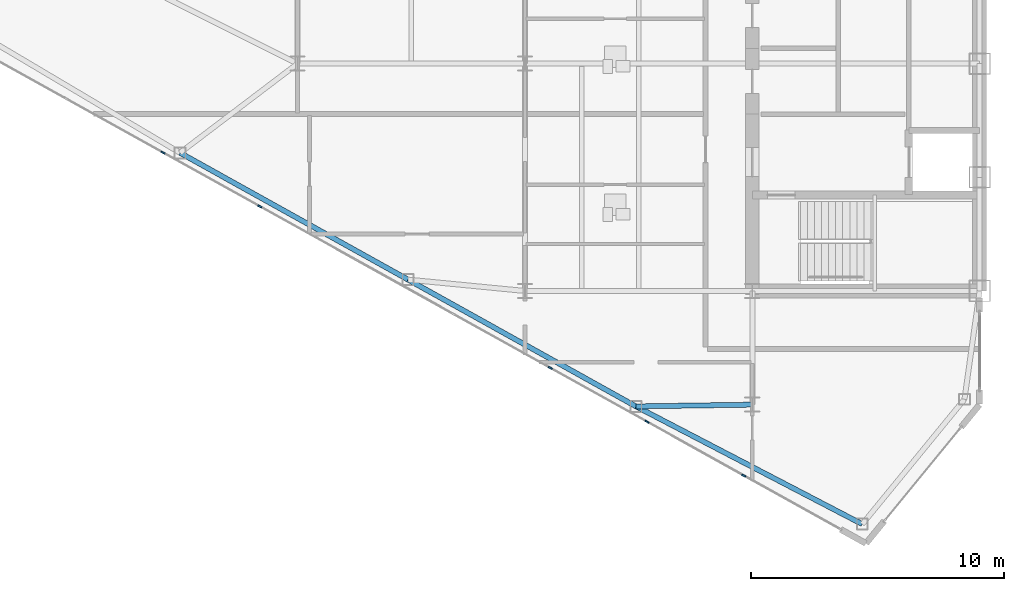
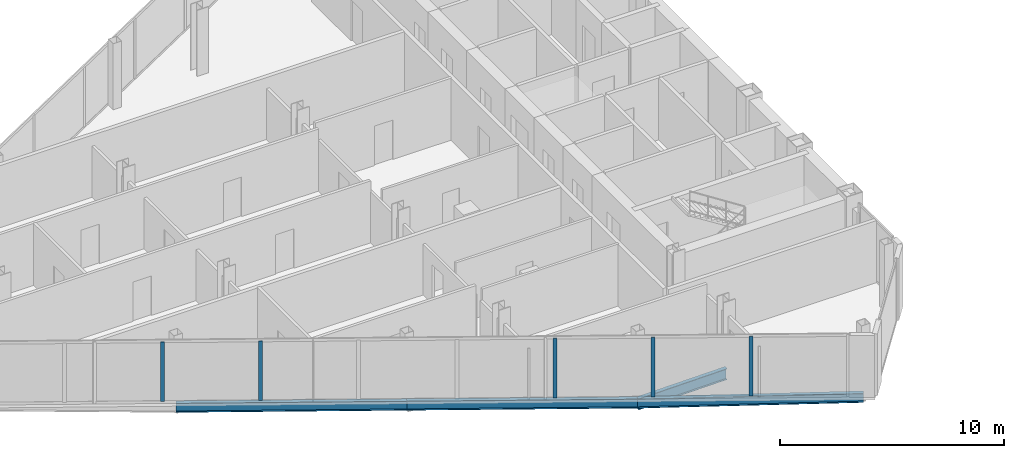
# One storey, part 3 of 26: 5 members, 4 beams, 1 element without a shape of its own.
"""IFC4 building model written with IfcOpenShell, lengths in metres."""

from ifc_helpers import new_model, si_unit, direction, frame, origin, origin_2d, place, context, subcontext, project, spatial, rectangle, i_section, extrude, source, transform, mapped, material, layer, layer_set, material_profile, profile_set, type_object, type_shapes, element, aggregate, save


model = new_model("IFC4")

# Units and contexts
model_context = context("Model", 3, precision=1e-05, world=origin(), true_north=direction((0.0, 1.0)))
body_context = subcontext(model_context, "Body", "Model", "MODEL_VIEW")
ifc_project = project(units=[si_unit("LENGTHUNIT", "METRE"), si_unit("AREAUNIT", "SQUARE_METRE"), si_unit("VOLUMEUNIT", "CUBIC_METRE"), si_unit("PLANEANGLEUNIT", "RADIAN"), si_unit("MASSUNIT", "GRAM", prefix="KILO")], contexts=[model_context])

# Site, building, storey
site_placement = place(None, origin())
site = spatial("IfcSite", under=ifc_project, at=site_placement, CompositionType="ELEMENT")
building_placement = place(site_placement, origin())
building = spatial("IfcBuilding", under=site, at=building_placement, Name="Seokmaru Belvedere", CompositionType="ELEMENT")
storey_placement = place(building_placement, frame((0.0, 0.0, 177.89990234375)))
storey = spatial("IfcBuildingStorey", under=building, at=storey_placement, Name="L47", CompositionType="ELEMENT", Elevation=177.89990234375)

# Beams
ifc_material_1 = material(Name="Steel SM355 (355 MPa)", Category="steel")
ifc_material_profile_1 = material_profile(ifc_material_1, i_section(OverallWidth=0.199951171875, OverallDepth=0.5, WebThickness=0.010009765625, FlangeThickness=0.01611328125, at=origin_2d()), Name="H-500x200x10x16")
ifc_profile_set_1 = profile_set([ifc_material_profile_1], Name="Steel SM355 (355 MPa)")
beam_type_1 = type_object("IfcBeamType", Name="Perimeter Spandrel Beam H-500", PredefinedType="SPANDREL", material=ifc_profile_set_1)
shared_shape_1 = source(origin(), body_context, "Body", "SweptSolid", [
    extrude(i_section(OverallWidth=0.199951171875, OverallDepth=0.5, WebThickness=0.010009765625, FlangeThickness=0.01611328125, at=origin_2d()), origin(), (0.0, 0.0, 1.0), 10.09716796875),
])
beam_1_placement = place(storey_placement, frame((-32.146728515625, -22.731689453125, -0.469970703125), z_axis=(-0.887085728914, 0.461604711369, 0.0), x_axis=(-0.461604711369, -0.887085728914, 0.0)))
element("IfcBeam", 1, at=beam_1_placement, inside=storey, type_object=beam_type_1, Name="L47 W Faceted Flank Spandrel S-1", PredefinedType="SPANDREL", context=body_context, shape_type="MappedRepresentation", body=[
    mapped(shared_shape_1, transform((0.0, 0.0, 0.0), scale=1.0)),
])
shared_shape_2 = source(origin(), body_context, "Body", "SweptSolid", [
    extrude(i_section(OverallWidth=0.199951171875, OverallDepth=0.5, WebThickness=0.010009765625, FlangeThickness=0.01611328125, at=origin_2d()), origin(), (0.0, 0.0, 1.0), 10.327392578125),
])
type_shapes(beam_type_1, [shared_shape_1, shared_shape_2])
for number, where, z_axis, x_axis, name in (
    (2, (-41.103759765625, -18.07080078125, -0.469970703125), (-0.873924120588, 0.486062374037, 0.0), (-0.486062374037, -0.873924120588, 0.0), "L47 W Faceted Flank Spandrel S-2"),
    (3, (-50.129150390625, -13.051025390625, -0.469970703125), (-0.873934162361, 0.48604431882, 0.0), (-0.48604431882, -0.873934162361, 0.0), "L47 W Faceted Flank Spandrel S-3"),
):
    element("IfcBeam", number, at=place(storey_placement, frame(where, z_axis=z_axis, x_axis=x_axis)), inside=storey, type_object=beam_type_1, Name=name, PredefinedType="SPANDREL", context=body_context, shape_type="MappedRepresentation", body=[
        mapped(shared_shape_2, transform((0.0, 0.0, 0.0), scale=1.0)),
    ])
ifc_material_profile_2 = material_profile(ifc_material_1, i_section(OverallWidth=0.199951171875, OverallDepth=0.60009765625, WebThickness=0.010986328125, FlangeThickness=0.01708984375, at=origin_2d()), Name="H-600x200x11x17")
ifc_profile_set_2 = profile_set([ifc_material_profile_2], Name="Steel SM355 (355 MPa)")
beam_type_2 = type_object("IfcBeamType", Name="Primary Floor Girder H-600", PredefinedType="BEAM", material=ifc_profile_set_2)
shared_shape_3 = source(origin(), body_context, "Body", "SweptSolid", [
    extrude(i_section(OverallWidth=0.199951171875, OverallDepth=0.60009765625, WebThickness=0.010986328125, FlangeThickness=0.01708984375, at=origin_2d()), origin(), (0.0, 0.0, 1.0), 4.604248046875),
])
type_shapes(beam_type_2, [shared_shape_3])
beam_2_placement = place(storey_placement, frame((-41.103759765625, -18.07080078125, -0.52001953125), z_axis=(0.999881765622, 0.01537708607, 0.0), x_axis=(-0.01537708607, 0.999881765622, 0.0)))
element("IfcBeam", 4, at=beam_2_placement, inside=storey, type_object=beam_type_2, Name="L47 W Flank Radial Floor Girder S-1", PredefinedType="BEAM", context=body_context, shape_type="MappedRepresentation", body=[
    mapped(shared_shape_3, transform((0.0, 0.0, 0.0), scale=1.0)),
])

# Curtain wall, members
ifc_material_2 = material(Name="Bronze Triple Insulating Glass", Category="glass")
ifc_layer = layer(ifc_material_2, 0.179931640625)
ifc_layer_set = layer_set([ifc_layer], Name="Bronze Triple Insulating Glass")
curtain_wall_type = type_object("IfcCurtainWallType", Name="High-Rise Wind-Corner Curtain Wall System CW-5", PredefinedType="NOTDEFINED", material=ifc_layer_set)
curtain_wall_placement = place(storey_placement, origin())
curtain_wall = element("IfcCurtainWall", 5, at=curtain_wall_placement, inside=storey, type_object=curtain_wall_type, Name="L47 Curtain Wall WF5", PredefinedType="NOTDEFINED")
ifc_material_3 = material(Name="Anodised Bronze Aluminium", Category="aluminium")
ifc_material_profile_3 = material_profile(ifc_material_3, rectangle(XDim=0.06494140625, YDim=0.179931640625, at=origin_2d()), Name="CW-M-65x180")
ifc_profile_set_3 = profile_set([ifc_material_profile_3], Name="Anodised Bronze Aluminium")
member_type = type_object("IfcMemberType", Name="Bronze Unitised Mullion 65x180", PredefinedType="MULLION", material=ifc_profile_set_3)
shared_shape_4 = source(origin(), body_context, "Body", "SweptSolid", [
    extrude(rectangle(XDim=0.06494140625, YDim=0.179931640625, at=origin_2d()), origin(), (0.0, 0.0, 1.0), 3.25),
])
type_shapes(member_type, [shared_shape_4])
member_1_placement = place(storey_placement, frame((-59.83056640625, -8.021728515625, 0.065185546875), z_axis=(0.0, 0.0, 1.0), x_axis=(0.486047125147, 0.873932601598, 0.0)))
member_1 = element("IfcMember", 6, at=member_1_placement, type_object=member_type, Name="CW:L47:WF5 Mullion 3", PredefinedType="MULLION", context=body_context, shape_type="MappedRepresentation", body=[
    mapped(shared_shape_4, transform((0.0, 0.0, 0.0), scale=1.0)),
])
member_2_placement = place(storey_placement, frame((-55.998291015625, -10.153076171875, 0.065185546875), z_axis=(0.0, 0.0, 1.0), x_axis=(0.486047125147, 0.873932601598, 0.0)))
member_2 = element("IfcMember", 7, at=member_2_placement, type_object=member_type, Name="CW:L47:WF5 Mullion 4", PredefinedType="MULLION", context=body_context, shape_type="MappedRepresentation", body=[
    mapped(shared_shape_4, transform((0.0, 0.0, 0.0), scale=1.0)),
])
member_3_placement = place(storey_placement, frame((-44.501708984375, -16.547119140625, 0.065185546875), z_axis=(0.0, 0.0, 1.0), x_axis=(0.486047125147, 0.873932601598, 0.0)))
member_3 = element("IfcMember", 8, at=member_3_placement, type_object=member_type, Name="CW:L47:WF5 Mullion 7", PredefinedType="MULLION", context=body_context, shape_type="MappedRepresentation", body=[
    mapped(shared_shape_4, transform((0.0, 0.0, 0.0), scale=1.0)),
])
member_4_placement = place(storey_placement, frame((-40.66943359375, -18.67822265625, 0.065185546875), z_axis=(0.0, 0.0, 1.0), x_axis=(0.486047125147, 0.873932601598, 0.0)))
member_4 = element("IfcMember", 9, at=member_4_placement, type_object=member_type, Name="CW:L47:WF5 Mullion 8", PredefinedType="MULLION", context=body_context, shape_type="MappedRepresentation", body=[
    mapped(shared_shape_4, transform((0.0, 0.0, 0.0), scale=1.0)),
])
member_5_placement = place(storey_placement, frame((-36.837158203125, -20.809814453125, 0.065185546875), z_axis=(0.0, 0.0, 1.0), x_axis=(0.486047125147, 0.873932601598, 0.0)))
member_5 = element("IfcMember", 10, at=member_5_placement, type_object=member_type, Name="CW:L47:WF5 Mullion 9", PredefinedType="MULLION", context=body_context, shape_type="MappedRepresentation", body=[
    mapped(shared_shape_4, transform((0.0, 0.0, 0.0), scale=1.0)),
])
aggregate(curtain_wall, [member_1, member_2, member_3, member_4, member_5])

save(model, "model.ifc")
